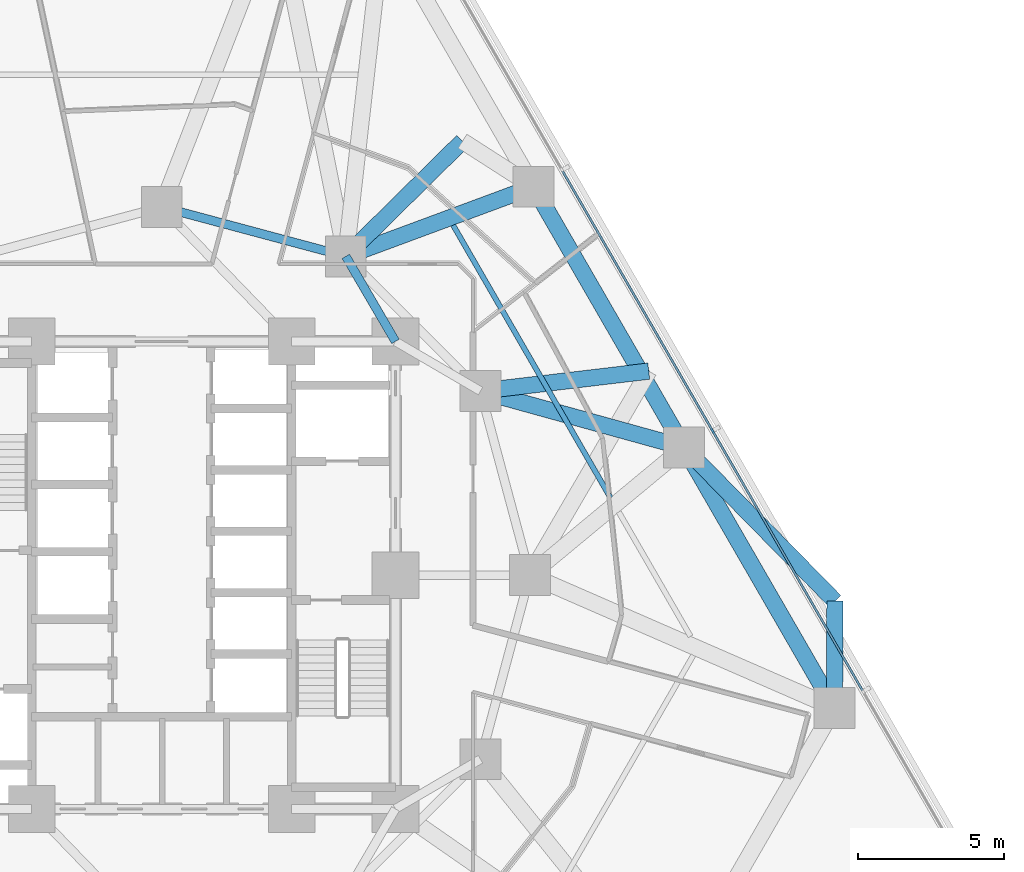
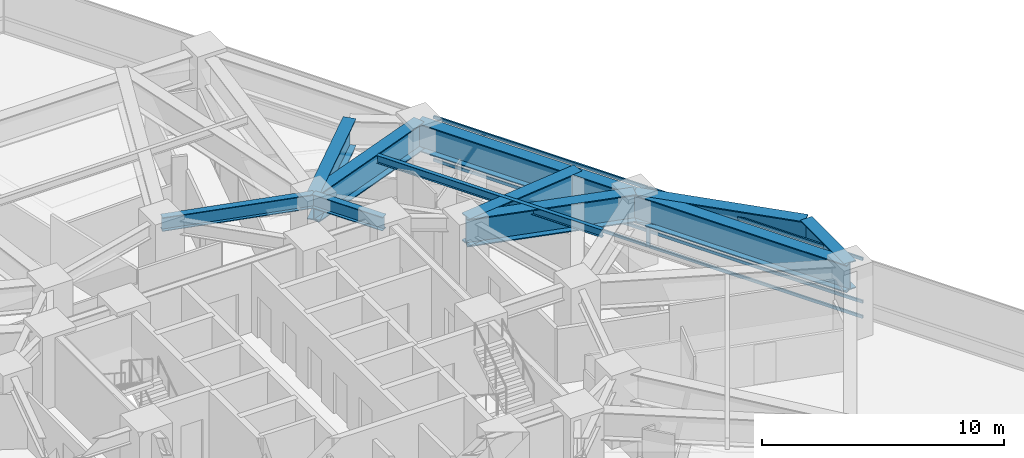
# One storey, part 5 of 15: 11 beams, 7 members, 1 element without a shape of its own.
"""IFC4 building model written with IfcOpenShell, lengths in metres."""

from ifc_helpers import new_model, si_unit, direction, frame, origin, origin_2d, place, context, subcontext, project, spatial, rectangle, i_section, extrude, material, layer, layer_set, material_profile, profile_set, type_object, element, aggregate, save


model = new_model("IFC4")

# Units and contexts
model_context = context("Model", 3, precision=1e-05, world=origin(), true_north=direction((0.0, 1.0)))
body_context = subcontext(model_context, "Body", "Model", "MODEL_VIEW")
ifc_project = project(units=[si_unit("LENGTHUNIT", "METRE"), si_unit("AREAUNIT", "SQUARE_METRE"), si_unit("VOLUMEUNIT", "CUBIC_METRE"), si_unit("PLANEANGLEUNIT", "RADIAN"), si_unit("MASSUNIT", "GRAM", prefix="KILO")], contexts=[model_context])

# Site, building, storey
site_placement = place(None, origin())
site = spatial("IfcSite", under=ifc_project, at=site_placement, CompositionType="ELEMENT")
building_placement = place(site_placement, origin())
building = spatial("IfcBuilding", under=site, at=building_placement, Name="Terralouvre Media Tower", CompositionType="ELEMENT")
storey_placement = place(building_placement, frame((0.0, 0.0, 51.89990234375)))
storey = spatial("IfcBuildingStorey", under=building, at=storey_placement, Name="L12", CompositionType="ELEMENT", Elevation=51.89990234375)

# Beam
ifc_material_1 = material(Name="Structural steel S355J2", Category="steel")
ifc_material_profile_1 = material_profile(ifc_material_1, i_section(OverallWidth=0.179931640625, OverallDepth=0.39990234375, WebThickness=0.008544921875, FlangeThickness=0.013427734375, at=origin_2d()), Name="IPE 400")
ifc_profile_set_1 = profile_set([ifc_material_profile_1], Name="Structural steel S355J2")
beam_type_1 = type_object("IfcBeamType", Name="Composite Floor Joist J-IPE400 (IPE 400)", PredefinedType="JOIST", material=ifc_profile_set_1)
beam_1_placement = place(storey_placement, frame((15.360107421875, 2.649658203125, 3.300048828125), z_axis=(-0.500003030497, 0.866023654119, 0.0), x_axis=(-0.866023654119, -0.500003030497, 0.0)))
element("IfcBeam", 1, at=beam_1_placement, inside=storey, type_object=beam_type_1, Name="L12 Framing Beam JT-L12-07", PredefinedType="JOIST", context=body_context, shape_type="SweptSolid", body=[
    extrude(i_section(OverallWidth=0.179931640625, OverallDepth=0.39990234375, WebThickness=0.008544921875, FlangeThickness=0.013427734375, at=origin_2d()), origin(), (0.0, 0.0, 1.0), 10.77099609375),
])

# Curtain wall, members
ifc_material_2 = material(Name="Low-iron laminated double glazing with solar-control coating", Category="glass")
ifc_layer = layer(ifc_material_2, 0.1650390625, Name="Lower Media Tower Unitised Curtain Wall CW-02")
ifc_layer_set = layer_set([ifc_layer], Name="Low-iron laminated double glazing with solar-control coating")
curtain_wall_type = type_object("IfcCurtainWallType", Name="Lower Media Tower Unitised Curtain Wall CW-02", PredefinedType="NOTDEFINED", material=ifc_layer_set)
curtain_wall_placement = place(storey_placement, origin())
curtain_wall = element("IfcCurtainWall", 2, at=curtain_wall_placement, inside=storey, type_object=curtain_wall_type, Name="L12 Facade Curtain Wall F1", PredefinedType="NOTDEFINED")
ifc_material_3 = material(Name="Anodised extruded aluminium 6063-T6", Category="aluminium")
ifc_material_profile_2 = material_profile(ifc_material_3, rectangle(XDim=0.074951171875, YDim=0.14990234375, at=origin_2d()), Name="ALU 75x150")
ifc_profile_set_2 = profile_set([ifc_material_profile_2], Name="Anodised extruded aluminium 6063-T6")
member_type_1 = type_object("IfcMemberType", Name="Curtain-Wall Horizontal Transom TR-150", PredefinedType="USERDEFINED", material=ifc_profile_set_2)
member_1_placement = place(storey_placement, frame((23.984619140625, -3.94921875, 0.03759765625), z_axis=(-0.499991148707, 0.866030514021, 0.0), x_axis=(-0.866030514021, -0.499991148707, 0.0)))
member_1 = element("IfcMember", 3, at=member_1_placement, type_object=member_type_1, Name="CW-02 transom 2.1", ObjectType="TRANSOM", PredefinedType="USERDEFINED", context=body_context, shape_type="SweptSolid", body=[
    extrude(rectangle(XDim=0.074951171875, YDim=0.14990234375, at=origin_2d()), origin(), (0.0, 0.0, 1.0), 10.224853515625),
])
member_2_placement = place(storey_placement, frame((23.984619140625, -3.94921875, 0.800048828125), z_axis=(-0.499991148707, 0.866030514021, 0.0), x_axis=(-0.866030514021, -0.499991148707, 0.0)))
member_2 = element("IfcMember", 4, at=member_2_placement, type_object=member_type_1, Name="CW-02 transom 2.2", ObjectType="TRANSOM", PredefinedType="USERDEFINED", context=body_context, shape_type="SweptSolid", body=[
    extrude(rectangle(XDim=0.074951171875, YDim=0.14990234375, at=origin_2d()), origin(), (0.0, 0.0, 1.0), 10.224853515625),
])
member_3_placement = place(storey_placement, frame((23.984619140625, -3.94921875, 2.962646484375), z_axis=(-0.499991148707, 0.866030514021, 0.0), x_axis=(-0.866030514021, -0.499991148707, 0.0)))
member_3 = element("IfcMember", 5, at=member_3_placement, type_object=member_type_1, Name="CW-02 transom 2.3", ObjectType="TRANSOM", PredefinedType="USERDEFINED", context=body_context, shape_type="SweptSolid", body=[
    extrude(rectangle(XDim=0.074951171875, YDim=0.14990234375, at=origin_2d()), origin(), (0.0, 0.0, 1.0), 10.224853515625),
])
member_4_placement = place(storey_placement, frame((18.834716796875, 4.970947265625, 0.03759765625), z_axis=(-0.50000905659, 0.866020174897, 0.0), x_axis=(-0.866020174897, -0.50000905659, 0.0)))
member_4 = element("IfcMember", 6, at=member_4_placement, type_object=member_type_1, Name="CW-02 transom 3.1", ObjectType="TRANSOM", PredefinedType="USERDEFINED", context=body_context, shape_type="SweptSolid", body=[
    extrude(rectangle(XDim=0.074951171875, YDim=0.14990234375, at=origin_2d()), origin(), (0.0, 0.0, 1.0), 10.224853515625),
])
member_5_placement = place(storey_placement, frame((18.834716796875, 4.970947265625, 0.800048828125), z_axis=(-0.50000905659, 0.866020174897, 0.0), x_axis=(-0.866020174897, -0.50000905659, 0.0)))
member_5 = element("IfcMember", 7, at=member_5_placement, type_object=member_type_1, Name="CW-02 transom 3.2", ObjectType="TRANSOM", PredefinedType="USERDEFINED", context=body_context, shape_type="SweptSolid", body=[
    extrude(rectangle(XDim=0.074951171875, YDim=0.14990234375, at=origin_2d()), origin(), (0.0, 0.0, 1.0), 10.224853515625),
])
member_6_placement = place(storey_placement, frame((18.834716796875, 4.970947265625, 2.962646484375), z_axis=(-0.50000905659, 0.866020174897, 0.0), x_axis=(-0.866020174897, -0.50000905659, 0.0)))
member_6 = element("IfcMember", 8, at=member_6_placement, type_object=member_type_1, Name="CW-02 transom 3.3", ObjectType="TRANSOM", PredefinedType="USERDEFINED", context=body_context, shape_type="SweptSolid", body=[
    extrude(rectangle(XDim=0.074951171875, YDim=0.14990234375, at=origin_2d()), origin(), (0.0, 0.0, 1.0), 10.224853515625),
])
ifc_material_4 = material(Name="Anodised extruded aluminium 6063-T6", Category="aluminium")
ifc_material_profile_3 = material_profile(ifc_material_4, rectangle(XDim=0.074951171875, YDim=0.179931640625, at=origin_2d()), Name="ALU 75x180")
ifc_profile_set_3 = profile_set([ifc_material_profile_3], Name="Anodised extruded aluminium 6063-T6")
member_type_2 = type_object("IfcMemberType", Name="Curtain-Wall Vertical Mullion ML-180", PredefinedType="MULLION", material=ifc_profile_set_3)
member_7_placement = place(storey_placement, frame((18.853515625, 4.938232421875, 0.0), z_axis=(0.0, 0.0, 1.0), x_axis=(-0.866025412057, -0.499999985671, 0.0)))
member_7 = element("IfcMember", 9, at=member_7_placement, type_object=member_type_2, Name="CW-02 mullion 3", PredefinedType="MULLION", context=body_context, shape_type="SweptSolid", body=[
    extrude(rectangle(XDim=0.074951171875, YDim=0.179931640625, at=origin_2d()), origin(), (0.0, 0.0, 1.0), 3.0),
])
aggregate(curtain_wall, [member_7, member_1, member_2, member_3, member_4, member_5, member_6])

# Beams
ifc_material_5 = material(Name="Structural steel S460M", Category="steel")
ifc_material_profile_4 = material_profile(ifc_material_5, i_section(OverallWidth=0.300048828125, OverallDepth=0.699951171875, WebThickness=0.01708984375, FlangeThickness=0.031982421875, at=origin_2d()), Name="HEB 700")
ifc_profile_set_4 = profile_set([ifc_material_profile_4], Name="Structural steel S460M")
beam_type_2 = type_object("IfcBeamType", Name="Primary Floor Girder B-HEB700 (HEB 700)", PredefinedType="BEAM", material=ifc_profile_set_4)
beam_2_placement = place(storey_placement, frame((6.300048828125, 10.911865234375, 3.150146484375), z_axis=(-0.965920481897, 0.258838989821, 0.0), x_axis=(-0.258838989821, -0.965920481897, 0.0)))
element("IfcBeam", 10, at=beam_2_placement, inside=storey, type_object=beam_type_2, Name="L12 Framing Beam BM-L12-MR08", PredefinedType="BEAM", context=body_context, shape_type="SweptSolid", body=[
    extrude(i_section(OverallWidth=0.300048828125, OverallDepth=0.699951171875, WebThickness=0.01708984375, FlangeThickness=0.031982421875, at=origin_2d()), origin(), (0.0, 0.0, 1.0), 6.522216796875),
])
beam_3_placement = place(storey_placement, frame((8.0, 8.0, 3.150146484375), z_axis=(-0.504172629717, 0.863602894532, 0.0), x_axis=(-0.863602894532, -0.504172629717, 0.0)))
element("IfcBeam", 11, at=beam_3_placement, inside=storey, type_object=beam_type_2, Name="L12 Framing Beam BM-L12-CM08", PredefinedType="BEAM", context=body_context, shape_type="SweptSolid", body=[
    extrude(i_section(OverallWidth=0.300048828125, OverallDepth=0.699951171875, WebThickness=0.01708984375, FlangeThickness=0.031982421875, at=origin_2d()), origin(), (0.0, 0.0, 1.0), 3.371826171875),
])
ifc_material_6 = material(Name="Structural steel S460M", Category="steel")
ifc_material_profile_5 = material_profile(ifc_material_6, i_section(OverallWidth=0.56005859375, OverallDepth=1.39990234375, WebThickness=0.031982421875, FlangeThickness=0.050048828125, at=origin_2d()), Name="TG 1400x560")
ifc_profile_set_5 = profile_set([ifc_material_profile_5], Name="Structural steel S460M")
beam_type_3 = type_object("IfcBeamType", Name="Welded Transfer Girder TG-1400 (TG 1400x560)", PredefinedType="USERDEFINED", material=ifc_profile_set_5)
for number, where, z_axis, x_axis, name in (
    (12, (23.02490234375, -4.546630859375, 2.800048828125), (-0.500016542852, 0.866015852554, 0.0), (-0.866015852554, -0.500016542852, 0.0), "L12 Framing Beam BM-L12-PR06"),
    (13, (17.874755859375, 4.373291015625, 2.800048828125), (-0.49998850195, 0.866032042085, 0.0), (-0.866032042085, -0.49998850195, 0.0), "L12 Framing Beam BM-L12-PR07"),
):
    element("IfcBeam", number, at=place(storey_placement, frame(where, z_axis=z_axis, x_axis=x_axis)), inside=storey, type_object=beam_type_3, Name=name, ObjectType="TRANSFER GIRDER", PredefinedType="USERDEFINED", context=body_context, shape_type="SweptSolid", body=[
        extrude(i_section(OverallWidth=0.56005859375, OverallDepth=1.39990234375, WebThickness=0.031982421875, FlangeThickness=0.050048828125, at=origin_2d()), origin(), (0.0, 0.0, 1.0), 10.300048828125),
    ])
beam_4_placement = place(storey_placement, frame((6.300048828125, 10.911865234375, 2.800048828125), z_axis=(0.937652019179, 0.347575446386, 0.0), x_axis=(-0.347575446386, 0.937652019179, 0.0)))
element("IfcBeam", 14, at=beam_4_placement, inside=storey, type_object=beam_type_3, Name="L12 Framing Beam BM-L12-RD08", ObjectType="TRANSFER GIRDER", PredefinedType="USERDEFINED", context=body_context, shape_type="SweptSolid", body=[
    extrude(i_section(OverallWidth=0.56005859375, OverallDepth=1.39990234375, WebThickness=0.031982421875, FlangeThickness=0.050048828125, at=origin_2d()), origin(), (0.0, 0.0, 1.0), 6.85205078125),
])
beam_5_placement = place(storey_placement, frame((23.04296875, -0.888671875, 2.800048828125), z_axis=(-0.004938870552, -0.999987803704, 0.0), x_axis=(0.999987803704, -0.004938870552, 0.0)))
element("IfcBeam", 15, at=beam_5_placement, inside=storey, type_object=beam_type_3, Name="L12 Framing Beam BM-L12-TR05S1", ObjectType="TRANSFER GIRDER", PredefinedType="USERDEFINED", context=body_context, shape_type="SweptSolid", body=[
    extrude(i_section(OverallWidth=0.56005859375, OverallDepth=1.39990234375, WebThickness=0.031982421875, FlangeThickness=0.050048828125, at=origin_2d()), origin(), (0.0, 0.0, 1.0), 3.657958984375),
])
beam_6_placement = place(storey_placement, frame((23.04296875, -0.888671875, 2.800048828125), z_axis=(-0.700722757494, 0.713433680961, 0.0), x_axis=(-0.713433680961, -0.700722757494, 0.0)))
element("IfcBeam", 16, at=beam_6_placement, inside=storey, type_object=beam_type_3, Name="L12 Framing Beam BM-L12-TR05S2", ObjectType="TRANSFER GIRDER", PredefinedType="USERDEFINED", context=body_context, shape_type="SweptSolid", body=[
    extrude(i_section(OverallWidth=0.56005859375, OverallDepth=1.39990234375, WebThickness=0.031982421875, FlangeThickness=0.050048828125, at=origin_2d()), origin(), (0.0, 0.0, 1.0), 7.37548828125),
])
beam_7_placement = place(storey_placement, frame((17.874755859375, 4.373291015625, 2.800048828125), z_axis=(-0.963780816717, 0.266695589254, 0.0), x_axis=(-0.266695589254, -0.963780816717, 0.0)))
element("IfcBeam", 17, at=beam_7_placement, inside=storey, type_object=beam_type_3, Name="L12 Framing Beam BM-L12-TRC06", ObjectType="TRANSFER GIRDER", PredefinedType="USERDEFINED", context=body_context, shape_type="SweptSolid", body=[
    extrude(i_section(OverallWidth=0.56005859375, OverallDepth=1.39990234375, WebThickness=0.031982421875, FlangeThickness=0.050048828125, at=origin_2d()), origin(), (0.0, 0.0, 1.0), 7.224609375),
])
beam_8_placement = place(storey_placement, frame((16.669189453125, 6.982421875, 2.800048828125), z_axis=(-0.993049341372, -0.117698791838, 0.0), x_axis=(0.117698791838, -0.993049341372, 0.0)))
element("IfcBeam", 18, at=beam_8_placement, inside=storey, type_object=beam_type_3, Name="L12 Framing Beam BM-L12-TR06S1", ObjectType="TRANSFER GIRDER", PredefinedType="USERDEFINED", context=body_context, shape_type="SweptSolid", body=[
    extrude(i_section(OverallWidth=0.56005859375, OverallDepth=1.39990234375, WebThickness=0.031982421875, FlangeThickness=0.050048828125, at=origin_2d()), origin(), (0.0, 0.0, 1.0), 5.797607421875),
])
beam_9_placement = place(storey_placement, frame((10.29541015625, 14.853271484375, 2.800048828125), z_axis=(-0.711897326367, -0.702283558623, 0.0), x_axis=(0.702283558623, -0.711897326367, 0.0)))
element("IfcBeam", 19, at=beam_9_placement, inside=storey, type_object=beam_type_3, Name="L12 Framing Beam BM-L12-TR07S2", ObjectType="TRANSFER GIRDER", PredefinedType="USERDEFINED", context=body_context, shape_type="SweptSolid", body=[
    extrude(i_section(OverallWidth=0.56005859375, OverallDepth=1.39990234375, WebThickness=0.031982421875, FlangeThickness=0.050048828125, at=origin_2d()), origin(), (0.0, 0.0, 1.0), 5.6123046875),
])

save(model, "model.ifc")
